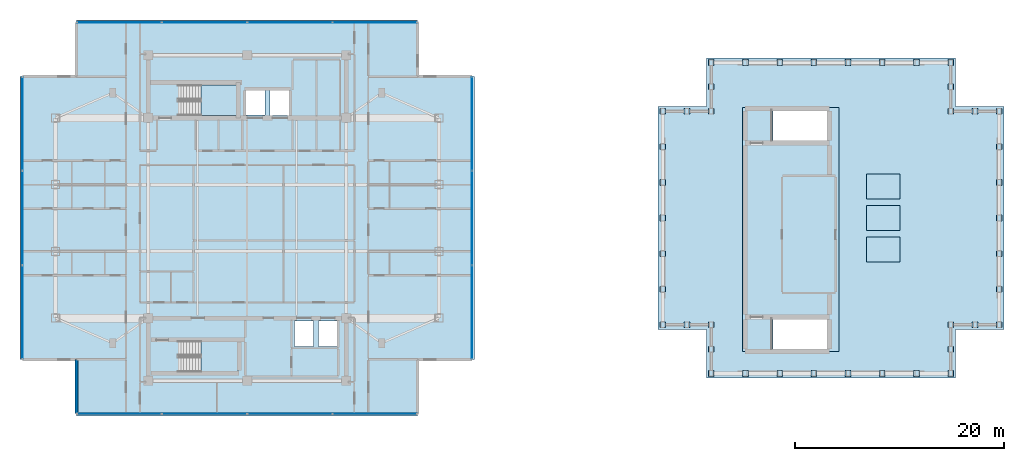
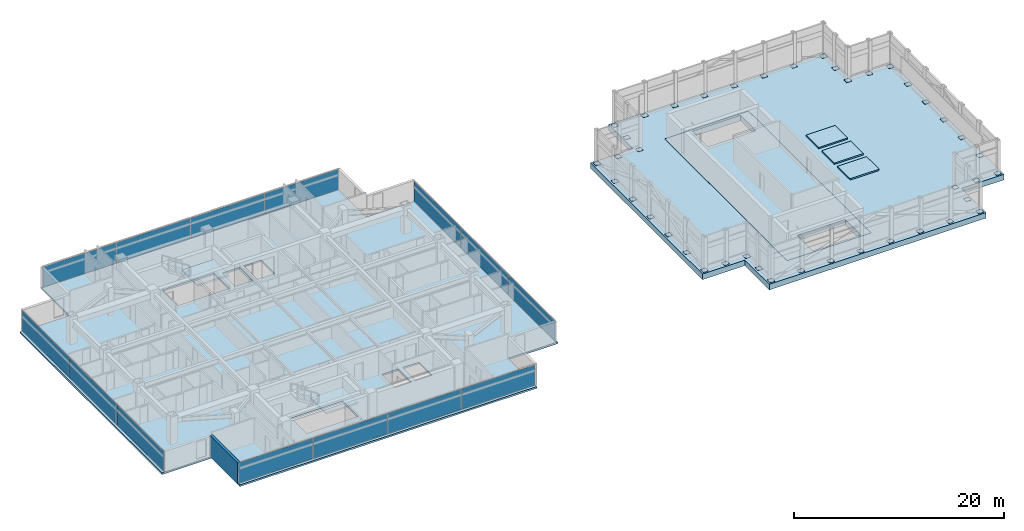
# One storey, part 9 of 17: 56 plates, 8 slabs, 1 wall, 6 elements without a shape of their own.
"""IFC4 building model written with IfcOpenShell, lengths in metres."""

from ifc_helpers import new_model, si_unit, direction, frame, frame_2d, origin, origin_2d, place, context, subcontext, project, spatial, polyline, rectangle, outline, extrude, material, layer, layer_set, type_object, element, aggregate, save


model = new_model("IFC4")

# Units and contexts
model_context = context("Model", 3, precision=1e-05, world=origin(), true_north=direction((0.0, 1.0)))
body_context = subcontext(model_context, "Body", "Model", "MODEL_VIEW")
ifc_project = project(units=[si_unit("LENGTHUNIT", "METRE"), si_unit("AREAUNIT", "SQUARE_METRE"), si_unit("VOLUMEUNIT", "CUBIC_METRE"), si_unit("PLANEANGLEUNIT", "RADIAN"), si_unit("MASSUNIT", "GRAM", prefix="KILO")], contexts=[model_context])

# Site, building, storey
site_placement = place(None, origin())
site = spatial("IfcSite", under=ifc_project, at=site_placement, CompositionType="ELEMENT")
building_placement = place(site_placement, origin())
building = spatial("IfcBuilding", under=site, at=building_placement, Name="Mirazonda Arch Towers", CompositionType="ELEMENT")
storey_placement = place(building_placement, frame((0.0, 0.0, 209.64990234375)))
storey = spatial("IfcBuildingStorey", under=building, at=storey_placement, Name="L60", CompositionType="ELEMENT", Elevation=209.64990234375)

# Curtain wall, plates
ifc_material_1 = material(Name="Anodised Aluminium and Low-E Glass", Category="aluminium")
curtain_wall_type = type_object("IfcCurtainWallType", Name="CW-RES-UNIT", PredefinedType="NOTDEFINED", material=ifc_material_1)
curtain_wall_1_placement = place(storey_placement, origin())
curtain_wall_1 = element("IfcCurtainWall", 1, at=curtain_wall_1_placement, inside=storey, type_object=curtain_wall_type, Name="L60 T1 S Facade CW-L60-T1-S", PredefinedType="NOTDEFINED")
ifc_material_2 = material(Name="Insulated Low-E Solar Glass", Category="glass")
ifc_layer_1 = layer(ifc_material_2, 0.0400390625, Name="PAN-CW-RES-UNIT")
ifc_layer_set_1 = layer_set([ifc_layer_1], Name="Insulated Low-E Solar Glass")
plate_type_1 = type_object("IfcPlateType", Name="PAN-CW-RES-UNIT", PredefinedType="CURTAIN_PANEL", material=ifc_layer_set_1)
plate_1_placement = place(storey_placement, frame((32.74755859375, 9.22607421875, 0.0751953125), z_axis=(0.0, 0.0, 1.0), x_axis=(-1.0, 0.0, 0.0)))
plate_1 = element("IfcPlate", 2, at=plate_1_placement, type_object=plate_type_1, Name="CW-104 panel 1.1", PredefinedType="CURTAIN_PANEL", context=body_context, shape_type="SweptSolid", body=[
    extrude(rectangle(XDim=8.06494140625, YDim=0.0400390625, at=origin_2d()), origin(), (0.0, 0.0, 1.0), 2.360107421875),
])
plate_2_placement = place(storey_placement, frame((24.5888671875, 9.22607421875, 0.0751953125), z_axis=(0.0, 0.0, 1.0), x_axis=(-1.0, 0.0, 0.0)))
plate_2 = element("IfcPlate", 3, at=plate_2_placement, type_object=plate_type_1, Name="CW-104 panel 2.1", PredefinedType="CURTAIN_PANEL", context=body_context, shape_type="SweptSolid", body=[
    extrude(rectangle(XDim=8.1025390625, YDim=0.0400390625, at=origin_2d()), origin(), (0.0, 0.0, 1.0), 2.360107421875),
])
plate_3_placement = place(storey_placement, frame((16.4111328125, 9.22607421875, 0.0751953125), z_axis=(0.0, 0.0, 1.0), x_axis=(-1.0, 0.0, 0.0)))
plate_3 = element("IfcPlate", 4, at=plate_3_placement, type_object=plate_type_1, Name="CW-104 panel 3.1", PredefinedType="CURTAIN_PANEL", context=body_context, shape_type="SweptSolid", body=[
    extrude(rectangle(XDim=8.1025390625, YDim=0.0400390625, at=origin_2d()), origin(), (0.0, 0.0, 1.0), 2.360107421875),
])
plate_4_placement = place(storey_placement, frame((8.25244140625, 9.22607421875, 0.0751953125), z_axis=(0.0, 0.0, 1.0), x_axis=(-1.0, 0.0, 0.0)))
plate_4 = element("IfcPlate", 5, at=plate_4_placement, type_object=plate_type_1, Name="CW-104 panel 4.1", PredefinedType="CURTAIN_PANEL", context=body_context, shape_type="SweptSolid", body=[
    extrude(rectangle(XDim=8.06494140625, YDim=0.0400390625, at=origin_2d()), origin(), (0.0, 0.0, 1.0), 2.360107421875),
])
aggregate(curtain_wall_1, [plate_1, plate_2, plate_3, plate_4])

curtain_wall_2_placement = place(storey_placement, origin())
curtain_wall_2 = element("IfcCurtainWall", 6, at=curtain_wall_2_placement, inside=storey, type_object=curtain_wall_type, Name="L60 T1 E Facade CW-L60-T1-E", PredefinedType="NOTDEFINED")
plate_5_placement = place(storey_placement, frame((42.070068359375, 18.9794921875, 0.0751953125), z_axis=(0.0, 0.0, 1.0), x_axis=(0.0, 1.0, 0.0)))
plate_5 = element("IfcPlate", 7, at=plate_5_placement, type_object=plate_type_1, Name="CW-104 panel 1.1", PredefinedType="CURTAIN_PANEL", context=body_context, shape_type="SweptSolid", body=[
    extrude(rectangle(XDim=8.9267578125, YDim=0.0400390625, at=origin_2d()), origin(), (0.0, 0.0, 1.0), 2.360107421875),
])
plate_6_placement = place(storey_placement, frame((42.070068359375, 28.0, 0.0751953125), z_axis=(0.0, 0.0, 1.0), x_axis=(0.0, 1.0, 0.0)))
plate_6 = element("IfcPlate", 8, at=plate_6_placement, type_object=plate_type_1, Name="CW-104 panel 2.1", PredefinedType="CURTAIN_PANEL", context=body_context, shape_type="SweptSolid", body=[
    extrude(rectangle(XDim=8.96435546875, YDim=0.0400390625, at=origin_2d()), origin(), (0.0, 0.0, 1.0), 2.360107421875),
])
plate_7_placement = place(storey_placement, frame((42.070068359375, 37.0205078125, 0.0751953125), z_axis=(0.0, 0.0, 1.0), x_axis=(0.0, 1.0, 0.0)))
plate_7 = element("IfcPlate", 9, at=plate_7_placement, type_object=plate_type_1, Name="CW-104 panel 3.1", PredefinedType="CURTAIN_PANEL", context=body_context, shape_type="SweptSolid", body=[
    extrude(rectangle(XDim=8.9267578125, YDim=0.0400390625, at=origin_2d()), origin(), (0.0, 0.0, 1.0), 2.360107421875),
])
aggregate(curtain_wall_2, [plate_5, plate_6, plate_7])

curtain_wall_3_placement = place(storey_placement, origin())
curtain_wall_3 = element("IfcCurtainWall", 10, at=curtain_wall_3_placement, inside=storey, type_object=curtain_wall_type, Name="L60 T1 N Facade CW-L60-T1-N", PredefinedType="NOTDEFINED")
plate_8_placement = place(storey_placement, frame((8.25244140625, 46.77392578125, 0.0751953125), z_axis=(0.0, 0.0, 1.0), x_axis=(1.0, 0.0, 0.0)))
plate_8 = element("IfcPlate", 11, at=plate_8_placement, type_object=plate_type_1, Name="CW-104 panel 1.1", PredefinedType="CURTAIN_PANEL", context=body_context, shape_type="SweptSolid", body=[
    extrude(rectangle(XDim=8.06494140625, YDim=0.0400390625, at=origin_2d()), origin(), (0.0, 0.0, 1.0), 2.360107421875),
])
plate_9_placement = place(storey_placement, frame((16.4111328125, 46.77392578125, 0.0751953125), z_axis=(0.0, 0.0, 1.0), x_axis=(1.0, 0.0, 0.0)))
plate_9 = element("IfcPlate", 12, at=plate_9_placement, type_object=plate_type_1, Name="CW-104 panel 2.1", PredefinedType="CURTAIN_PANEL", context=body_context, shape_type="SweptSolid", body=[
    extrude(rectangle(XDim=8.1025390625, YDim=0.0400390625, at=origin_2d()), origin(), (0.0, 0.0, 1.0), 2.360107421875),
])
plate_10_placement = place(storey_placement, frame((24.5888671875, 46.77392578125, 0.0751953125), z_axis=(0.0, 0.0, 1.0), x_axis=(1.0, 0.0, 0.0)))
plate_10 = element("IfcPlate", 13, at=plate_10_placement, type_object=plate_type_1, Name="CW-104 panel 3.1", PredefinedType="CURTAIN_PANEL", context=body_context, shape_type="SweptSolid", body=[
    extrude(rectangle(XDim=8.1025390625, YDim=0.0400390625, at=origin_2d()), origin(), (0.0, 0.0, 1.0), 2.360107421875),
])
plate_11_placement = place(storey_placement, frame((32.74755859375, 46.77392578125, 0.0751953125), z_axis=(0.0, 0.0, 1.0), x_axis=(1.0, 0.0, 0.0)))
plate_11 = element("IfcPlate", 14, at=plate_11_placement, type_object=plate_type_1, Name="CW-104 panel 4.1", PredefinedType="CURTAIN_PANEL", context=body_context, shape_type="SweptSolid", body=[
    extrude(rectangle(XDim=8.06494140625, YDim=0.0400390625, at=origin_2d()), origin(), (0.0, 0.0, 1.0), 2.360107421875),
])
aggregate(curtain_wall_3, [plate_8, plate_9, plate_10, plate_11])

curtain_wall_4_placement = place(storey_placement, origin())
curtain_wall_4 = element("IfcCurtainWall", 15, at=curtain_wall_4_placement, inside=storey, type_object=curtain_wall_type, Name="L60 T1 W Facade CW-L60-T1-W", PredefinedType="NOTDEFINED")
plate_12_placement = place(storey_placement, frame((-1.070068359375, 37.0205078125, 0.0751953125), z_axis=(0.0, 0.0, 1.0), x_axis=(0.0, -1.0, 0.0)))
plate_12 = element("IfcPlate", 16, at=plate_12_placement, type_object=plate_type_1, Name="CW-104 panel 1.1", PredefinedType="CURTAIN_PANEL", context=body_context, shape_type="SweptSolid", body=[
    extrude(rectangle(XDim=8.9267578125, YDim=0.0400390625, at=origin_2d()), origin(), (0.0, 0.0, 1.0), 2.360107421875),
])
plate_13_placement = place(storey_placement, frame((-1.070068359375, 28.0, 0.0751953125), z_axis=(0.0, 0.0, 1.0), x_axis=(0.0, -1.0, 0.0)))
plate_13 = element("IfcPlate", 17, at=plate_13_placement, type_object=plate_type_1, Name="CW-104 panel 2.1", PredefinedType="CURTAIN_PANEL", context=body_context, shape_type="SweptSolid", body=[
    extrude(rectangle(XDim=8.96435546875, YDim=0.0400390625, at=origin_2d()), origin(), (0.0, 0.0, 1.0), 2.360107421875),
])
plate_14_placement = place(storey_placement, frame((-1.070068359375, 18.9794921875, 0.0751953125), z_axis=(0.0, 0.0, 1.0), x_axis=(0.0, -1.0, 0.0)))
plate_14 = element("IfcPlate", 18, at=plate_14_placement, type_object=plate_type_1, Name="CW-104 panel 3.1", PredefinedType="CURTAIN_PANEL", context=body_context, shape_type="SweptSolid", body=[
    extrude(rectangle(XDim=8.9267578125, YDim=0.0400390625, at=origin_2d()), origin(), (0.0, 0.0, 1.0), 2.360107421875),
])
aggregate(curtain_wall_4, [plate_12, plate_13, plate_14])

# Plates
ifc_material_3 = material(Name="Steel ASTM A572 Grade 50", Category="steel")
ifc_layer_2 = layer(ifc_material_3, 0.030029296875, Name="PLATE-CAP-550x550x30")
ifc_layer_set_2 = layer_set([ifc_layer_2], Name="Steel ASTM A572 Grade 50")
plate_type_2 = type_object("IfcPlateType", Name="PLATE-CAP-550x550x30", PredefinedType="USERDEFINED", material=ifc_layer_set_2)
for number, where, z_axis, x_axis, name in (
    (19, (65.01220703125, 13.091552734375, -0.02783203125), (0.0, 0.0, 1.0), (1.0, 0.0, 0.0), "Steel end closure plate NP-CRN-T2-P01B"),
    (20, (68.29443359375, 13.091552734375, -0.02783203125), (0.0, 0.0, 1.0), (1.0, 0.0, 0.0), "Steel end closure plate NP-CRN-T2-P02B"),
    (21, (71.57666015625, 13.091552734375, -0.02783203125), (0.0, 0.0, 1.0), (1.0, 0.0, 0.0), "Steel end closure plate NP-CRN-T2-P03B"),
    (22, (74.85888671875, 13.091552734375, -0.02783203125), (0.0, 0.0, 1.0), (1.0, 0.0, 0.0), "Steel end closure plate NP-CRN-T2-P04B"),
    (23, (78.14111328125, 13.091552734375, -0.02783203125), (0.0, 0.0, 1.0), (1.0, 0.0, 0.0), "Steel end closure plate NP-CRN-T2-P05B"),
    (24, (81.42333984375, 13.091552734375, -0.02783203125), (0.0, 0.0, 1.0), (1.0, 0.0, 0.0), "Steel end closure plate NP-CRN-T2-P06B"),
    (25, (84.70556640625, 13.091552734375, -0.02783203125), (0.0, 0.0, 1.0), (1.0, 0.0, 0.0), "Steel end closure plate NP-CRN-T2-P07B"),
    (26, (87.98779296875, 13.091552734375, -0.02783203125), (0.0, 0.0, 1.0), (1.0, 0.0, 0.0), "Steel end closure plate NP-CRN-T2-P08B"),
    (27, (87.98779296875, 15.42138671875, -0.02783203125), (0.0, 0.0, 1.0), (1.0, 0.0, 0.0), "Steel end closure plate NP-CRN-T2-P09B"),
    (28, (87.98779296875, 17.751220703125, -0.02783203125), (0.0, 0.0, 1.0), (1.0, 0.0, 0.0), "Steel end closure plate NP-CRN-T2-P10B"),
    (29, (90.317626953125, 17.751220703125, -0.02783203125), (0.0, 0.0, 1.0), (1.0, 0.0, 0.0), "Steel end closure plate NP-CRN-T2-P11B"),
    (30, (92.6474609375, 17.751220703125, -0.02783203125), (0.0, 0.0, 1.0), (1.0, 0.0, 0.0), "Steel end closure plate NP-CRN-T2-P12B"),
    (31, (92.6474609375, 21.16748046875, -0.02783203125), (0.0, 0.0, 1.0), (1.0, 0.0, 0.0), "Steel end closure plate NP-CRN-T2-P13B"),
    (32, (92.6474609375, 24.583740234375, -0.02783203125), (0.0, 0.0, 1.0), (1.0, 0.0, 0.0), "Steel end closure plate NP-CRN-T2-P14B"),
    (33, (92.6474609375, 28.0, -0.02783203125), (0.0, 0.0, 1.0), (1.0, 0.0, 0.0), "Steel end closure plate NP-CRN-T2-P15B"),
    (34, (92.6474609375, 31.416259765625, -0.02783203125), (0.0, 0.0, 1.0), (1.0, 0.0, 0.0), "Steel end closure plate NP-CRN-T2-P16B"),
    (35, (92.6474609375, 34.83251953125, -0.02783203125), (0.0, 0.0, 1.0), (1.0, 0.0, 0.0), "Steel end closure plate NP-CRN-T2-P17B"),
    (36, (92.6474609375, 38.248779296875, -0.02783203125), (0.0, 0.0, 1.0), (1.0, 0.0, 0.0), "Steel end closure plate NP-CRN-T2-P18B"),
    (37, (90.317626953125, 38.248779296875, -0.02783203125), (0.0, 0.0, 1.0), (1.0, 0.0, 0.0), "Steel end closure plate NP-CRN-T2-P19B"),
    (38, (87.98779296875, 38.248779296875, -0.02783203125), (0.0, 0.0, 1.0), (1.0, 0.0, 0.0), "Steel end closure plate NP-CRN-T2-P20B"),
    (39, (87.98779296875, 40.57861328125, -0.02783203125), (0.0, 0.0, 1.0), (1.0, 0.0, 0.0), "Steel end closure plate NP-CRN-T2-P21B"),
    (40, (87.98779296875, 42.908447265625, -0.02783203125), (0.0, 0.0, 1.0), (1.0, 0.0, 0.0), "Steel end closure plate NP-CRN-T2-P22B"),
    (41, (84.70556640625, 42.908447265625, -0.02783203125), (0.0, 0.0, 1.0), (1.0, 0.0, 0.0), "Steel end closure plate NP-CRN-T2-P23B"),
    (42, (81.42333984375, 42.908447265625, -0.02783203125), (0.0, 0.0, 1.0), (1.0, 0.0, 0.0), "Steel end closure plate NP-CRN-T2-P24B"),
    (43, (78.14111328125, 42.908447265625, -0.02783203125), (0.0, 0.0, 1.0), (1.0, 0.0, 0.0), "Steel end closure plate NP-CRN-T2-P25B"),
    (44, (74.85888671875, 42.908447265625, -0.02783203125), (0.0, 0.0, 1.0), (1.0, 0.0, 0.0), "Steel end closure plate NP-CRN-T2-P26B"),
    (45, (71.57666015625, 42.908447265625, -0.02783203125), (0.0, 0.0, 1.0), (1.0, 0.0, 0.0), "Steel end closure plate NP-CRN-T2-P27B"),
    (46, (68.29443359375, 42.908447265625, -0.02783203125), (0.0, 0.0, 1.0), (1.0, 0.0, 0.0), "Steel end closure plate NP-CRN-T2-P28B"),
    (47, (65.01220703125, 42.908447265625, -0.02783203125), (0.0, 0.0, 1.0), (1.0, 0.0, 0.0), "Steel end closure plate NP-CRN-T2-P29B"),
    (48, (65.01220703125, 40.57861328125, -0.02783203125), (0.0, 0.0, 1.0), (1.0, 0.0, 0.0), "Steel end closure plate NP-CRN-T2-P30B"),
    (49, (65.01220703125, 38.248779296875, -0.02783203125), (0.0, 0.0, 1.0), (1.0, 0.0, 0.0), "Steel end closure plate NP-CRN-T2-P31B"),
    (50, (62.682373046875, 38.248779296875, -0.02783203125), (0.0, 0.0, 1.0), (1.0, 0.0, 0.0), "Steel end closure plate NP-CRN-T2-P32B"),
    (51, (60.3525390625, 38.248779296875, -0.02783203125), (0.0, 0.0, 1.0), (1.0, 0.0, 0.0), "Steel end closure plate NP-CRN-T2-P33B"),
    (52, (60.3525390625, 34.83251953125, -0.02783203125), (0.0, 0.0, 1.0), (1.0, 0.0, 0.0), "Steel end closure plate NP-CRN-T2-P34B"),
    (53, (60.3525390625, 31.416259765625, -0.02783203125), (0.0, 0.0, 1.0), (1.0, 0.0, 0.0), "Steel end closure plate NP-CRN-T2-P35B"),
    (54, (60.3525390625, 28.0, -0.02783203125), (0.0, 0.0, 1.0), (1.0, 0.0, 0.0), "Steel end closure plate NP-CRN-T2-P36B"),
    (55, (60.3525390625, 24.583740234375, -0.02783203125), (0.0, 0.0, 1.0), (1.0, 0.0, 0.0), "Steel end closure plate NP-CRN-T2-P37B"),
    (56, (60.3525390625, 21.16748046875, -0.02783203125), (0.0, 0.0, 1.0), (1.0, 0.0, 0.0), "Steel end closure plate NP-CRN-T2-P38B"),
    (57, (60.3525390625, 17.751220703125, -0.02783203125), (0.0, 0.0, 1.0), (1.0, 0.0, 0.0), "Steel end closure plate NP-CRN-T2-P39B"),
    (58, (62.682373046875, 17.751220703125, -0.02783203125), (0.0, 0.0, 1.0), (1.0, 0.0, 0.0), "Steel end closure plate NP-CRN-T2-P40B"),
    (59, (65.01220703125, 17.751220703125, -0.02783203125), (0.0, 0.0, 1.0), (1.0, 0.0, 0.0), "Steel end closure plate NP-CRN-T2-P41B"),
    (60, (65.01220703125, 15.42138671875, -0.02783203125), (0.0, 0.0, 1.0), (1.0, 0.0, 0.0), "Steel end closure plate NP-CRN-T2-P42B"),
):
    element("IfcPlate", number, at=place(storey_placement, frame(where, z_axis=z_axis, x_axis=x_axis)), inside=storey, type_object=plate_type_2, Name=name, ObjectType="CAP PLATE", PredefinedType="USERDEFINED", context=body_context, shape_type="SweptSolid", body=[
        extrude(rectangle(XDim=0.550048828125, YDim=0.550048828125, at=origin_2d()), origin(), (0.0, 0.0, 1.0), 0.0400390625),
    ])

# Stair, slab
ifc_material_4 = material(Name="Concrete C40/50", Category="concrete")
stair_type = type_object("IfcStairType", Name="STAIR-CORE-1400", PredefinedType="HALF_TURN_STAIR", material=ifc_material_4)
stair_1_placement = place(storey_placement, origin())
stair_1 = element("IfcStair", 61, at=stair_1_placement, inside=storey, type_object=stair_type, Name="L60 Protected Exit Stair ST-T1N", PredefinedType="HALF_TURN_STAIR")
ifc_layer_3 = layer(ifc_material_4, 0.18994140625, Name="SLAB-LANDING-190")
ifc_layer_set_3 = layer_set([ifc_layer_3], Name="Concrete C40/50")
slab_type_1 = type_object("IfcSlabType", Name="SLAB-LANDING-190", PredefinedType="LANDING", material=ifc_layer_set_3)
slab_1_placement = place(storey_placement, frame((0.0, 0.0, 1.425048828125)))
slab_1 = element("IfcSlab", 62, at=slab_1_placement, type_object=slab_type_1, Name="ST-T1N landing 1", PredefinedType="LANDING", context=body_context, shape_type="SweptSolid", body=[
    extrude(outline(polyline([(16.090087890625, 37.820068359375), (19.60009765625, 37.820068359375), (19.60009765625, 40.760009765625), (16.090087890625, 40.760009765625), (16.090087890625, 37.820068359375)])), origin(), (0.0, 0.0, 1.0), 0.199951171875),
])
aggregate(stair_1, [slab_1])

stair_2_placement = place(storey_placement, origin())
stair_2 = element("IfcStair", 63, at=stair_2_placement, inside=storey, type_object=stair_type, Name="L60 Protected Exit Stair ST-T1S", PredefinedType="HALF_TURN_STAIR")
slab_2_placement = place(storey_placement, frame((0.0, 0.0, 1.425048828125)))
slab_2 = element("IfcSlab", 64, at=slab_2_placement, type_object=slab_type_1, Name="ST-T1S landing 1", PredefinedType="LANDING", context=body_context, shape_type="SweptSolid", body=[
    extrude(outline(polyline([(16.090087890625, 13.25), (19.60009765625, 13.25), (19.60009765625, 16.18994140625), (16.090087890625, 16.18994140625), (16.090087890625, 13.25)])), origin(), (0.0, 0.0, 1.0), 0.199951171875),
])
aggregate(stair_2, [slab_2])

# Slabs
ifc_layer_4 = layer(ifc_material_4, 0.159912109375, Name="SLAB-PLINTH-160")
ifc_layer_set_4 = layer_set([ifc_layer_4], Name="Concrete C40/50")
slab_type_2 = type_object("IfcSlabType", Name="SLAB-PLINTH-160", PredefinedType="FLOOR", material=ifc_layer_set_4)
slab_3_placement = place(storey_placement, origin())
element("IfcSlab", 65, at=slab_3_placement, inside=storey, type_object=slab_type_2, Name="T2 Crown Mechanical Equipment Plinth 1", PredefinedType="FLOOR", context=body_context, shape_type="SweptSolid", body=[
    extrude(outline(polyline([(79.89990234375, 23.800048828125), (83.10009765625, 23.800048828125), (83.10009765625, 26.199951171875), (79.89990234375, 26.199951171875), (79.89990234375, 23.800048828125)])), origin(), (0.0, 0.0, 1.0), 0.16015625),
])
slab_4_placement = place(storey_placement, origin())
element("IfcSlab", 66, at=slab_4_placement, inside=storey, type_object=slab_type_2, Name="T2 Crown Mechanical Equipment Plinth 2", PredefinedType="FLOOR", context=body_context, shape_type="SweptSolid", body=[
    extrude(outline(polyline([(79.89990234375, 26.800048828125), (83.10009765625, 26.800048828125), (83.10009765625, 29.199951171875), (79.89990234375, 29.199951171875), (79.89990234375, 26.800048828125)])), origin(), (0.0, 0.0, 1.0), 0.16015625),
])
slab_5_placement = place(storey_placement, origin())
element("IfcSlab", 67, at=slab_5_placement, inside=storey, type_object=slab_type_2, Name="T2 Crown Mechanical Equipment Plinth 3", PredefinedType="FLOOR", context=body_context, shape_type="SweptSolid", body=[
    extrude(outline(polyline([(79.89990234375, 29.800048828125), (83.10009765625, 29.800048828125), (83.10009765625, 32.199951171875), (79.89990234375, 32.199951171875), (79.89990234375, 29.800048828125)])), origin(), (0.0, 0.0, 1.0), 0.16015625),
])
ifc_material_5 = material(Name="Concrete C50/60", Category="concrete")
ifc_layer_5 = layer(ifc_material_5, 0.64990234375, Name="SLAB-ROOF-CROWN-650")
ifc_layer_set_5 = layer_set([ifc_layer_5], Name="Concrete C50/60")
slab_type_3 = type_object("IfcSlabType", Name="SLAB-ROOF-CROWN-650", PredefinedType="ROOF", material=ifc_layer_set_5)
slab_6_placement = place(storey_placement, frame((0.0, 0.0, -0.64990234375)))
element("IfcSlab", 68, at=slab_6_placement, inside=storey, type_object=slab_type_3, Name="L60 Tower 2 Crown Structural Base Roof Deck", PredefinedType="ROOF", context=body_context, shape_type="SweptSolid", body=[
    extrude(outline(polyline([(64.562255859375, 12.6416015625), (88.437744140625, 12.6416015625), (88.437744140625, 17.30126953125), (93.097412109375, 17.30126953125), (93.097412109375, 38.69873046875), (88.437744140625, 38.69873046875), (88.437744140625, 43.3583984375), (64.562255859375, 43.3583984375), (64.562255859375, 38.69873046875), (59.902587890625, 38.69873046875), (59.902587890625, 17.30126953125), (64.562255859375, 17.30126953125), (64.562255859375, 12.6416015625)]), holes=[polyline([(77.25, 38.60009765625), (77.25, 15.199951171875), (68.0, 15.199951171875), (68.0, 38.60009765625), (77.25, 38.60009765625)])]), origin(), (0.0, 0.0, 1.0), 0.64990234375),
])
ifc_layer_6 = layer(ifc_material_5, 0.64990234375, Name="SLAB-TRANSFER-650")
ifc_layer_set_6 = layer_set([ifc_layer_6], Name="Concrete C50/60")
slab_type_4 = type_object("IfcSlabType", Name="SLAB-TRANSFER-650", PredefinedType="FLOOR", material=ifc_layer_set_6)
slab_7_placement = place(storey_placement, frame((0.0, 0.0, -0.64990234375)))
element("IfcSlab", 69, at=slab_7_placement, inside=storey, type_object=slab_type_4, Name="L60 Tower 2 Crown Stair Headhouse and Maintenance Floor Slab", PredefinedType="FLOOR", context=body_context, shape_type="SweptSolid", body=[
    extrude(outline(polyline([(68.0009765625, 15.200927734375), (77.2490234375, 15.200927734375), (77.2490234375, 38.59912109375), (68.0009765625, 38.59912109375), (68.0009765625, 15.200927734375)]), holes=[polyline([(76.22998046875, 18.360107421875), (76.22998046875, 15.419921875), (70.925048828125, 15.419921875), (70.925048828125, 18.360107421875), (76.22998046875, 18.360107421875)]), polyline([(76.22998046875, 38.360107421875), (76.22998046875, 35.419921875), (70.925048828125, 35.419921875), (70.925048828125, 38.360107421875), (76.22998046875, 38.360107421875)])]), origin(), (0.0, 0.0, 1.0), 0.64990234375),
])
ifc_layer_7 = layer(ifc_material_4, 0.199951171875, Name="SLAB-TWR-200")
ifc_layer_set_7 = layer_set([ifc_layer_7], Name="Concrete C40/50")
slab_type_5 = type_object("IfcSlabType", Name="SLAB-TWR-200", PredefinedType="FLOOR", material=ifc_layer_set_7)
slab_8_placement = place(storey_placement, frame((0.0, 0.0, -0.199951171875)))
element("IfcSlab", 70, at=slab_8_placement, inside=storey, type_object=slab_type_5, Name="L60 Tower 1 Floor Slab", PredefinedType="FLOOR", context=body_context, shape_type="SweptSolid", body=[
    extrude(outline(polyline([(4.14501953125, 9.006103515625), (36.85498046875, 9.006103515625), (36.85498046875, 14.44091796875), (42.2900390625, 14.44091796875), (42.2900390625, 41.55908203125), (36.85498046875, 41.55908203125), (36.85498046875, 46.993896484375), (4.14501953125, 46.993896484375), (4.14501953125, 41.55908203125), (-1.2900390625, 41.55908203125), (-1.2900390625, 14.44091796875), (4.14501953125, 14.44091796875), (4.14501953125, 9.006103515625)]), holes=[polyline([(27.360107421875, 18.139892578125), (29.139892578125, 18.139892578125), (29.139892578125, 15.659912109375), (27.360107421875, 15.659912109375), (27.360107421875, 18.139892578125)]), polyline([(25.06005859375, 18.139892578125), (26.840087890625, 18.139892578125), (26.840087890625, 15.659912109375), (25.06005859375, 15.659912109375), (25.06005859375, 18.139892578125)]), polyline([(22.7099609375, 40.389892578125), (24.590087890625, 40.389892578125), (24.590087890625, 37.81005859375), (22.7099609375, 37.81005859375), (22.7099609375, 40.389892578125)]), polyline([(20.31005859375, 37.860107421875), (20.31005859375, 40.340087890625), (22.18994140625, 40.340087890625), (22.18994140625, 37.860107421875), (20.31005859375, 37.860107421875)]), polyline([(19.60009765625, 13.25), (13.925048828125, 13.25), (13.925048828125, 16.18994140625), (19.60009765625, 16.18994140625), (19.60009765625, 13.25)]), polyline([(13.925048828125, 37.820068359375), (13.925048828125, 40.760009765625), (19.60009765625, 40.760009765625), (19.60009765625, 37.820068359375), (13.925048828125, 37.820068359375)])]), origin(), (0.0, 0.0, 1.0), 0.199951171875),
])

# Wall
ifc_material_6 = material(Name="Precast Concrete C40/50", Category="concrete")
ifc_layer_8 = layer(ifc_material_6, 0.280029296875, Name="WALL-EXT-WALL-280")
ifc_layer_set_8 = layer_set([ifc_layer_8], Name="Precast Concrete C40/50")
wall_type = type_object("IfcWallType", Name="WALL-EXT-WALL-280", PredefinedType="SOLIDWALL", material=ifc_layer_set_8)
wall_placement = place(storey_placement, frame((4.14501953125, 14.44091796875, 0.0), z_axis=(0.0, 0.0, 1.0), x_axis=(0.0, -1.0, 0.0)))
element("IfcWall", 71, at=wall_placement, inside=storey, type_object=wall_type, Name="L60 T1 Notched SW Corner Wall WL-L60-T1-CSW", PredefinedType="SOLIDWALL", context=body_context, shape_type="SweptSolid", body=[
    extrude(rectangle(XDim=5.21484375, YDim=0.280029296875, at=frame_2d((2.607421875, 0.0))), origin(), (0.0, 0.0, 1.0), 2.510009765625),
])

save(model, "model.ifc")
